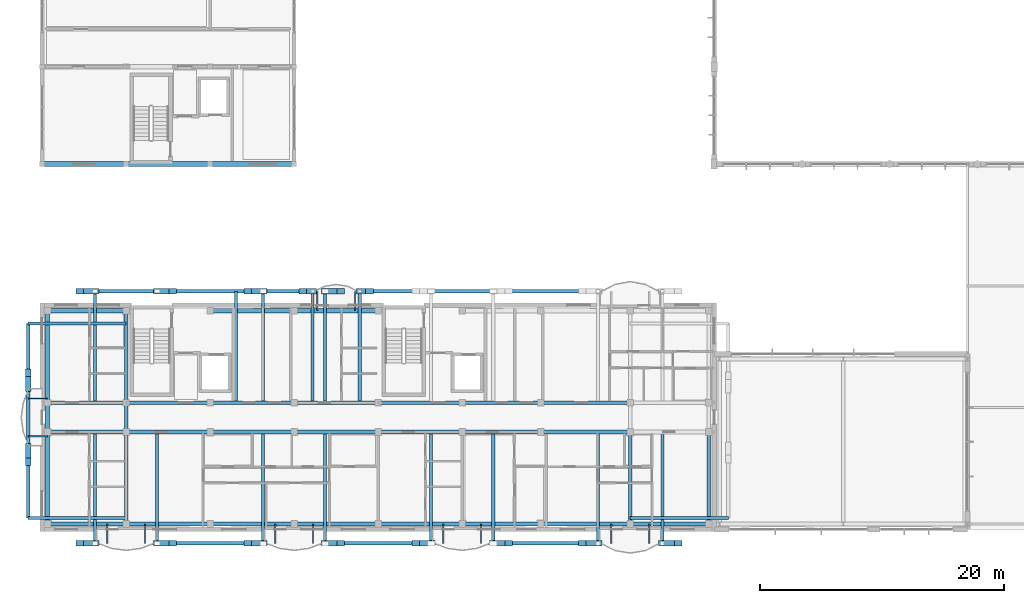
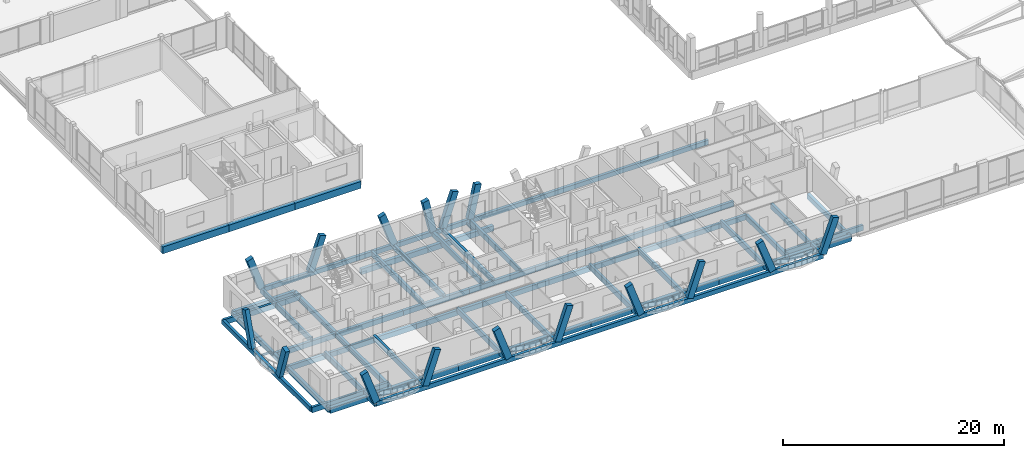
# One storey, part 16 of 189: 68 beams, 16 members.
"""IFC4 building model written with IfcOpenShell, lengths in metres."""

from ifc_helpers import new_model, si_unit, direction, frame, origin, origin_2d, place, context, subcontext, project, spatial, rectangle, i_section, extrude, material, material_profile, profile_set, type_object, element, save


model = new_model("IFC4")

# Units and contexts
model_context = context("Model", 3, precision=1e-05, world=origin(), true_north=direction((0.0, 1.0)))
body_context = subcontext(model_context, "Body", "Model", "MODEL_VIEW")
ifc_project = project(units=[si_unit("LENGTHUNIT", "METRE"), si_unit("AREAUNIT", "SQUARE_METRE"), si_unit("VOLUMEUNIT", "CUBIC_METRE"), si_unit("PLANEANGLEUNIT", "RADIAN"), si_unit("MASSUNIT", "GRAM", prefix="KILO")], contexts=[model_context])

# Site, building, storey
site_placement = place(None, origin())
site = spatial("IfcSite", under=ifc_project, at=site_placement, CompositionType="ELEMENT")
building_placement = place(site_placement, origin())
building = spatial("IfcBuilding", under=site, at=building_placement, Name="Zavelmont Quarter", CompositionType="ELEMENT")
storey_placement = place(building_placement, frame((0.0, 0.0, 4.39990234375)))
storey = spatial("IfcBuildingStorey", under=building, at=storey_placement, Name="L01", CompositionType="ELEMENT", Elevation=4.39990234375)

# Beams
ifc_material_1 = material(Name="Concrete C35/45", Category="concrete")
ifc_material_profile_1 = material_profile(ifc_material_1, rectangle(XDim=0.35009765625, YDim=0.60009765625, at=origin_2d()), Name="RC350X600")
ifc_profile_set_1 = profile_set([ifc_material_profile_1], Name="Concrete C35/45")
beam_type_1 = type_object("IfcBeamType", Name="BM01", PredefinedType="SPANDREL", material=ifc_profile_set_1)
beam_1_placement = place(storey_placement, frame((0.43994140625, 0.43994140625, -0.579833984375), z_axis=(1.0, 0.0, 0.0), x_axis=(0.0, 1.0, 0.0)))
element("IfcBeam", 1, at=beam_1_placement, inside=storey, type_object=beam_type_1, Name="L01 beam BM01 1/A to 2/A", PredefinedType="SPANDREL", context=body_context, shape_type="SweptSolid", body=[
    extrude(rectangle(XDim=0.35009765625, YDim=0.60009765625, at=origin_2d()), origin(), (0.0, 0.0, 1.0), 6.4599609375),
])
beam_2_placement = place(storey_placement, frame((6.89990234375, 0.43994140625, -0.579833984375), z_axis=(1.0, 0.0, 0.0), x_axis=(0.0, 1.0, 0.0)))
element("IfcBeam", 2, at=beam_2_placement, inside=storey, type_object=beam_type_1, Name="L01 beam BM01 2/A to 3/A", PredefinedType="SPANDREL", context=body_context, shape_type="SweptSolid", body=[
    extrude(rectangle(XDim=0.35009765625, YDim=0.60009765625, at=origin_2d()), origin(), (0.0, 0.0, 1.0), 6.900146484375),
])
beam_3_placement = place(storey_placement, frame((13.800048828125, 0.43994140625, -0.579833984375), z_axis=(1.0, 0.0, 0.0), x_axis=(0.0, 1.0, 0.0)))
element("IfcBeam", 3, at=beam_3_placement, inside=storey, type_object=beam_type_1, Name="L01 beam BM01 3/A to 4/A", PredefinedType="SPANDREL", context=body_context, shape_type="SweptSolid", body=[
    extrude(rectangle(XDim=0.35009765625, YDim=0.60009765625, at=origin_2d()), origin(), (0.0, 0.0, 1.0), 6.89990234375),
])
beam_4_placement = place(storey_placement, frame((20.699951171875, 0.43994140625, -0.579833984375), z_axis=(1.0, 0.0, 0.0), x_axis=(0.0, 1.0, 0.0)))
element("IfcBeam", 4, at=beam_4_placement, inside=storey, type_object=beam_type_1, Name="L01 beam BM01 4/A to 5/A", PredefinedType="SPANDREL", context=body_context, shape_type="SweptSolid", body=[
    extrude(rectangle(XDim=0.35009765625, YDim=0.60009765625, at=origin_2d()), origin(), (0.0, 0.0, 1.0), 6.900146484375),
])
beam_5_placement = place(storey_placement, frame((27.60009765625, 0.43994140625, -0.579833984375), z_axis=(1.0, 0.0, 0.0), x_axis=(0.0, 1.0, 0.0)))
element("IfcBeam", 5, at=beam_5_placement, inside=storey, type_object=beam_type_1, Name="L01 beam BM01 5/A to 6/A", PredefinedType="SPANDREL", context=body_context, shape_type="SweptSolid", body=[
    extrude(rectangle(XDim=0.35009765625, YDim=0.60009765625, at=origin_2d()), origin(), (0.0, 0.0, 1.0), 6.89990234375),
])
beam_6_placement = place(storey_placement, frame((34.5, 0.43994140625, -0.579833984375), z_axis=(1.0, 0.0, 0.0), x_axis=(0.0, 1.0, 0.0)))
element("IfcBeam", 6, at=beam_6_placement, inside=storey, type_object=beam_type_1, Name="L01 beam BM01 6/A to 7/A", PredefinedType="SPANDREL", context=body_context, shape_type="SweptSolid", body=[
    extrude(rectangle(XDim=0.35009765625, YDim=0.60009765625, at=origin_2d()), origin(), (0.0, 0.0, 1.0), 6.4599609375),
])
beam_7_placement = place(storey_placement, frame((40.9599609375, 0.43994140625, -0.579833984375), z_axis=(1.0, 0.0, 0.0), x_axis=(0.0, 1.0, 0.0)))
element("IfcBeam", 7, at=beam_7_placement, inside=storey, type_object=beam_type_1, Name="L01 beam BM01 7/A to 8/A", PredefinedType="SPANDREL", context=body_context, shape_type="SweptSolid", body=[
    extrude(rectangle(XDim=0.35009765625, YDim=0.60009765625, at=origin_2d()), origin(), (0.0, 0.0, 1.0), 7.340087890625),
])
for number, where, z_axis, x_axis, name in (
    (8, (48.300048828125, 0.43994140625, -0.579833984375), (1.0, 0.0, 0.0), (0.0, 1.0, 0.0), "L01 beam BM01 8/A to 9/A"),
    (9, (0.43994140625, 17.9599609375, -0.579833984375), (1.0, 0.0, 0.0), (0.0, 1.0, 0.0), "L01 beam BM01 1/D to 2/D"),
):
    element("IfcBeam", number, at=place(storey_placement, frame(where, z_axis=z_axis, x_axis=x_axis)), inside=storey, type_object=beam_type_1, Name=name, PredefinedType="SPANDREL", context=body_context, shape_type="SweptSolid", body=[
        extrude(rectangle(XDim=0.35009765625, YDim=0.60009765625, at=origin_2d()), origin(), (0.0, 0.0, 1.0), 6.4599609375),
    ])
beam_8_placement = place(storey_placement, frame((13.800048828125, 17.9599609375, -0.579833984375), z_axis=(1.0, 0.0, 0.0), x_axis=(0.0, 1.0, 0.0)))
element("IfcBeam", 10, at=beam_8_placement, inside=storey, type_object=beam_type_1, Name="L01 beam BM01 3/D to 4/D", PredefinedType="SPANDREL", context=body_context, shape_type="SweptSolid", body=[
    extrude(rectangle(XDim=0.35009765625, YDim=0.60009765625, at=origin_2d()), origin(), (0.0, 0.0, 1.0), 6.89990234375),
])
beam_9_placement = place(storey_placement, frame((20.699951171875, 17.9599609375, -0.579833984375), z_axis=(1.0, 0.0, 0.0), x_axis=(0.0, 1.0, 0.0)))
element("IfcBeam", 11, at=beam_9_placement, inside=storey, type_object=beam_type_1, Name="L01 beam BM01 4/D to 5/D", PredefinedType="SPANDREL", context=body_context, shape_type="SweptSolid", body=[
    extrude(rectangle(XDim=0.35009765625, YDim=0.60009765625, at=origin_2d()), origin(), (0.0, 0.0, 1.0), 6.900146484375),
])
ifc_material_profile_2 = material_profile(ifc_material_1, rectangle(XDim=0.300048828125, YDim=0.550048828125, at=origin_2d()), Name="RC300X550")
ifc_profile_set_2 = profile_set([ifc_material_profile_2], Name="Concrete C35/45")
beam_type_2 = type_object("IfcBeamType", Name="BM02", PredefinedType="SPANDREL", material=ifc_profile_set_2)
beam_10_placement = place(storey_placement, frame((0.43994140625, 8.0, -0.554931640625), z_axis=(1.0, 0.0, 0.0), x_axis=(0.0, 1.0, 0.0)))
element("IfcBeam", 12, at=beam_10_placement, inside=storey, type_object=beam_type_2, Name="L01 beam BM02 1/B to 2/B", PredefinedType="SPANDREL", context=body_context, shape_type="SweptSolid", body=[
    extrude(rectangle(XDim=0.300048828125, YDim=0.550048828125, at=origin_2d()), origin(), (0.0, 0.0, 1.0), 6.4599609375),
])
beam_11_placement = place(storey_placement, frame((6.89990234375, 8.0, -0.554931640625), z_axis=(1.0, 0.0, 0.0), x_axis=(0.0, 1.0, 0.0)))
element("IfcBeam", 13, at=beam_11_placement, inside=storey, type_object=beam_type_2, Name="L01 beam BM02 2/B to 3/B", PredefinedType="SPANDREL", context=body_context, shape_type="SweptSolid", body=[
    extrude(rectangle(XDim=0.300048828125, YDim=0.550048828125, at=origin_2d()), origin(), (0.0, 0.0, 1.0), 6.900146484375),
])
beam_12_placement = place(storey_placement, frame((13.800048828125, 8.0, -0.554931640625), z_axis=(1.0, 0.0, 0.0), x_axis=(0.0, 1.0, 0.0)))
element("IfcBeam", 14, at=beam_12_placement, inside=storey, type_object=beam_type_2, Name="L01 beam BM02 3/B to 4/B", PredefinedType="SPANDREL", context=body_context, shape_type="SweptSolid", body=[
    extrude(rectangle(XDim=0.300048828125, YDim=0.550048828125, at=origin_2d()), origin(), (0.0, 0.0, 1.0), 6.89990234375),
])
beam_13_placement = place(storey_placement, frame((20.699951171875, 8.0, -0.554931640625), z_axis=(1.0, 0.0, 0.0), x_axis=(0.0, 1.0, 0.0)))
element("IfcBeam", 15, at=beam_13_placement, inside=storey, type_object=beam_type_2, Name="L01 beam BM02 4/B to 5/B", PredefinedType="SPANDREL", context=body_context, shape_type="SweptSolid", body=[
    extrude(rectangle(XDim=0.300048828125, YDim=0.550048828125, at=origin_2d()), origin(), (0.0, 0.0, 1.0), 6.900146484375),
])
beam_14_placement = place(storey_placement, frame((27.60009765625, 8.0, -0.554931640625), z_axis=(1.0, 0.0, 0.0), x_axis=(0.0, 1.0, 0.0)))
element("IfcBeam", 16, at=beam_14_placement, inside=storey, type_object=beam_type_2, Name="L01 beam BM02 5/B to 6/B", PredefinedType="SPANDREL", context=body_context, shape_type="SweptSolid", body=[
    extrude(rectangle(XDim=0.300048828125, YDim=0.550048828125, at=origin_2d()), origin(), (0.0, 0.0, 1.0), 6.89990234375),
])
beam_15_placement = place(storey_placement, frame((34.5, 8.0, -0.554931640625), z_axis=(1.0, 0.0, 0.0), x_axis=(0.0, 1.0, 0.0)))
element("IfcBeam", 17, at=beam_15_placement, inside=storey, type_object=beam_type_2, Name="L01 beam BM02 6/B to 7/B", PredefinedType="SPANDREL", context=body_context, shape_type="SweptSolid", body=[
    extrude(rectangle(XDim=0.300048828125, YDim=0.550048828125, at=origin_2d()), origin(), (0.0, 0.0, 1.0), 6.4599609375),
])
beam_16_placement = place(storey_placement, frame((40.9599609375, 8.0, -0.554931640625), z_axis=(1.0, 0.0, 0.0), x_axis=(0.0, 1.0, 0.0)))
element("IfcBeam", 18, at=beam_16_placement, inside=storey, type_object=beam_type_2, Name="L01 beam BM02 7/B to 8/B", PredefinedType="SPANDREL", context=body_context, shape_type="SweptSolid", body=[
    extrude(rectangle(XDim=0.300048828125, YDim=0.550048828125, at=origin_2d()), origin(), (0.0, 0.0, 1.0), 7.340087890625),
])
beam_17_placement = place(storey_placement, frame((0.43994140625, 10.39990234375, -0.554931640625), z_axis=(1.0, 0.0, 0.0), x_axis=(0.0, 1.0, 0.0)))
element("IfcBeam", 19, at=beam_17_placement, inside=storey, type_object=beam_type_2, Name="L01 beam BM02 1/C to 2/C", PredefinedType="SPANDREL", context=body_context, shape_type="SweptSolid", body=[
    extrude(rectangle(XDim=0.300048828125, YDim=0.550048828125, at=origin_2d()), origin(), (0.0, 0.0, 1.0), 6.4599609375),
])
beam_18_placement = place(storey_placement, frame((6.89990234375, 10.39990234375, -0.554931640625), z_axis=(1.0, 0.0, 0.0), x_axis=(0.0, 1.0, 0.0)))
element("IfcBeam", 20, at=beam_18_placement, inside=storey, type_object=beam_type_2, Name="L01 beam BM02 2/C to 3/C", PredefinedType="SPANDREL", context=body_context, shape_type="SweptSolid", body=[
    extrude(rectangle(XDim=0.300048828125, YDim=0.550048828125, at=origin_2d()), origin(), (0.0, 0.0, 1.0), 6.900146484375),
])
beam_19_placement = place(storey_placement, frame((13.800048828125, 10.39990234375, -0.554931640625), z_axis=(1.0, 0.0, 0.0), x_axis=(0.0, 1.0, 0.0)))
element("IfcBeam", 21, at=beam_19_placement, inside=storey, type_object=beam_type_2, Name="L01 beam BM02 3/C to 4/C", PredefinedType="SPANDREL", context=body_context, shape_type="SweptSolid", body=[
    extrude(rectangle(XDim=0.300048828125, YDim=0.550048828125, at=origin_2d()), origin(), (0.0, 0.0, 1.0), 6.89990234375),
])
beam_20_placement = place(storey_placement, frame((20.699951171875, 10.39990234375, -0.554931640625), z_axis=(1.0, 0.0, 0.0), x_axis=(0.0, 1.0, 0.0)))
element("IfcBeam", 22, at=beam_20_placement, inside=storey, type_object=beam_type_2, Name="L01 beam BM02 4/C to 5/C", PredefinedType="SPANDREL", context=body_context, shape_type="SweptSolid", body=[
    extrude(rectangle(XDim=0.300048828125, YDim=0.550048828125, at=origin_2d()), origin(), (0.0, 0.0, 1.0), 6.900146484375),
])
beam_21_placement = place(storey_placement, frame((27.60009765625, 10.39990234375, -0.554931640625), z_axis=(1.0, 0.0, 0.0), x_axis=(0.0, 1.0, 0.0)))
element("IfcBeam", 23, at=beam_21_placement, inside=storey, type_object=beam_type_2, Name="L01 beam BM02 5/C to 6/C", PredefinedType="SPANDREL", context=body_context, shape_type="SweptSolid", body=[
    extrude(rectangle(XDim=0.300048828125, YDim=0.550048828125, at=origin_2d()), origin(), (0.0, 0.0, 1.0), 6.89990234375),
])
beam_22_placement = place(storey_placement, frame((34.5, 10.39990234375, -0.554931640625), z_axis=(1.0, 0.0, 0.0), x_axis=(0.0, 1.0, 0.0)))
element("IfcBeam", 24, at=beam_22_placement, inside=storey, type_object=beam_type_2, Name="L01 beam BM02 6/C to 7/C", PredefinedType="SPANDREL", context=body_context, shape_type="SweptSolid", body=[
    extrude(rectangle(XDim=0.300048828125, YDim=0.550048828125, at=origin_2d()), origin(), (0.0, 0.0, 1.0), 6.4599609375),
])
beam_23_placement = place(storey_placement, frame((40.9599609375, 10.39990234375, -0.554931640625), z_axis=(1.0, 0.0, 0.0), x_axis=(0.0, 1.0, 0.0)))
element("IfcBeam", 25, at=beam_23_placement, inside=storey, type_object=beam_type_2, Name="L01 beam BM02 7/C to 8/C", PredefinedType="SPANDREL", context=body_context, shape_type="SweptSolid", body=[
    extrude(rectangle(XDim=0.300048828125, YDim=0.550048828125, at=origin_2d()), origin(), (0.0, 0.0, 1.0), 7.340087890625),
])
beam_24_placement = place(storey_placement, frame((0.43994140625, 0.43994140625, -0.554931640625), z_axis=(0.0, 1.0, 0.0), x_axis=(-1.0, 0.0, 0.0)))
element("IfcBeam", 26, at=beam_24_placement, inside=storey, type_object=beam_type_2, Name="L01 beam BM02 1/A to 1/B", PredefinedType="SPANDREL", context=body_context, shape_type="SweptSolid", body=[
    extrude(rectangle(XDim=0.300048828125, YDim=0.550048828125, at=origin_2d()), origin(), (0.0, 0.0, 1.0), 7.56005859375),
])
beam_25_placement = place(storey_placement, frame((0.43994140625, 8.0, -0.554931640625), z_axis=(0.0, 1.0, 0.0), x_axis=(-1.0, 0.0, 0.0)))
element("IfcBeam", 27, at=beam_25_placement, inside=storey, type_object=beam_type_2, Name="L01 beam BM02 1/B to 1/C", PredefinedType="SPANDREL", context=body_context, shape_type="SweptSolid", body=[
    extrude(rectangle(XDim=0.300048828125, YDim=0.550048828125, at=origin_2d()), origin(), (0.0, 0.0, 1.0), 2.39990234375),
])
for number, where, z_axis, x_axis, name in (
    (28, (0.43994140625, 10.39990234375, -0.554931640625), (0.0, 1.0, 0.0), (-1.0, 0.0, 0.0), "L01 beam BM02 1/C to 1/D"),
    (29, (6.89990234375, 0.43994140625, -0.554931640625), (0.0, 1.0, 0.0), (-1.0, 0.0, 0.0), "L01 beam BM02 2/A to 2/B"),
):
    element("IfcBeam", number, at=place(storey_placement, frame(where, z_axis=z_axis, x_axis=x_axis)), inside=storey, type_object=beam_type_2, Name=name, PredefinedType="SPANDREL", context=body_context, shape_type="SweptSolid", body=[
        extrude(rectangle(XDim=0.300048828125, YDim=0.550048828125, at=origin_2d()), origin(), (0.0, 0.0, 1.0), 7.56005859375),
    ])
beam_26_placement = place(storey_placement, frame((6.89990234375, 8.0, -0.554931640625), z_axis=(0.0, 1.0, 0.0), x_axis=(-1.0, 0.0, 0.0)))
element("IfcBeam", 30, at=beam_26_placement, inside=storey, type_object=beam_type_2, Name="L01 beam BM02 2/B to 2/C", PredefinedType="SPANDREL", context=body_context, shape_type="SweptSolid", body=[
    extrude(rectangle(XDim=0.300048828125, YDim=0.550048828125, at=origin_2d()), origin(), (0.0, 0.0, 1.0), 2.39990234375),
])
for number, where, z_axis, x_axis, name in (
    (31, (6.89990234375, 10.39990234375, -0.554931640625), (0.0, 1.0, 0.0), (-1.0, 0.0, 0.0), "L01 beam BM02 2/C to 2/D"),
    (32, (48.300048828125, 0.43994140625, -0.554931640625), (0.0, 1.0, 0.0), (-1.0, 0.0, 0.0), "L01 beam BM02 8/A to 8/B"),
    (33, (54.760009765625, 0.43994140625, -0.554931640625), (0.0, 1.0, 0.0), (-1.0, 0.0, 0.0), "L01 beam BM02 9/A to 9/B"),
):
    element("IfcBeam", number, at=place(storey_placement, frame(where, z_axis=z_axis, x_axis=x_axis)), inside=storey, type_object=beam_type_2, Name=name, PredefinedType="SPANDREL", context=body_context, shape_type="SweptSolid", body=[
        extrude(rectangle(XDim=0.300048828125, YDim=0.550048828125, at=origin_2d()), origin(), (0.0, 0.0, 1.0), 7.56005859375),
    ])
ifc_material_profile_3 = material_profile(ifc_material_1, rectangle(XDim=0.300048828125, YDim=0.5, at=origin_2d()), Name="RC300X500")
ifc_profile_set_3 = profile_set([ifc_material_profile_3], Name="Concrete C35/45")
beam_type_3 = type_object("IfcBeamType", Name="BM03", PredefinedType="BEAM", material=ifc_profile_set_3)
for number, where, z_axis, x_axis, name in (
    (34, (4.35009765625, -1.14990234375, -0.25), (1.0, 0.0, 0.0), (0.0, 1.0, 0.0), "L01 beam BM03 2/A to 8/A"),
    (35, (4.35009765625, 19.550048828125, -0.25), (1.0, 0.0, 0.0), (0.0, 1.0, 0.0), "L01 beam BM03 2/D to 8/D"),
):
    element("IfcBeam", number, at=place(storey_placement, frame(where, z_axis=z_axis, x_axis=x_axis)), inside=storey, type_object=beam_type_3, Name=name, PredefinedType="BEAM", context=body_context, shape_type="SweptSolid", body=[
        extrude(rectangle(XDim=0.300048828125, YDim=0.5, at=origin_2d()), origin(), (0.0, 0.0, 1.0), 46.5830078125),
    ])
beam_27_placement = place(storey_placement, frame((-1.14990234375, 0.949951171875, -0.25), z_axis=(0.0, 1.0, 0.0), x_axis=(-1.0, 0.0, 0.0)))
element("IfcBeam", 36, at=beam_27_placement, inside=storey, type_object=beam_type_3, Name="L01 beam BM03 1/A to 1/D", PredefinedType="BEAM", context=body_context, shape_type="SweptSolid", body=[
    extrude(rectangle(XDim=0.300048828125, YDim=0.5, at=origin_2d()), origin(), (0.0, 0.0, 1.0), 15.949951171875),
])
ifc_material_2 = material(Name="Concrete C40/50", Category="concrete")
ifc_material_profile_4 = material_profile(ifc_material_2, rectangle(XDim=0.39990234375, YDim=0.75, at=origin_2d()), Name="RC400X750")
ifc_profile_set_4 = profile_set([ifc_material_profile_4], Name="Concrete C40/50")
beam_type_4 = type_object("IfcBeamType", Name="BM05", PredefinedType="BEAM", material=ifc_profile_set_4)
beam_28_placement = place(storey_placement, frame((0.0, 30.0, -0.65478515625), z_axis=(1.0, 0.0, 0.0), x_axis=(0.0, 1.0, 0.0)))
element("IfcBeam", 37, at=beam_28_placement, inside=storey, type_object=beam_type_4, Name="L01 beam BM05 1/F to 2/F", PredefinedType="BEAM", context=body_context, shape_type="SweptSolid", body=[
    extrude(rectangle(XDim=0.39990234375, YDim=0.75, at=origin_2d()), origin(), (0.0, 0.0, 1.0), 6.89990234375),
])
beam_29_placement = place(storey_placement, frame((6.89990234375, 30.0, -0.65478515625), z_axis=(1.0, 0.0, 0.0), x_axis=(0.0, 1.0, 0.0)))
element("IfcBeam", 38, at=beam_29_placement, inside=storey, type_object=beam_type_4, Name="L01 beam BM05 2/F to 3/F", PredefinedType="BEAM", context=body_context, shape_type="SweptSolid", body=[
    extrude(rectangle(XDim=0.39990234375, YDim=0.75, at=origin_2d()), origin(), (0.0, 0.0, 1.0), 6.900146484375),
])
beam_30_placement = place(storey_placement, frame((13.800048828125, 30.0, -0.65478515625), z_axis=(1.0, 0.0, 0.0), x_axis=(0.0, 1.0, 0.0)))
element("IfcBeam", 39, at=beam_30_placement, inside=storey, type_object=beam_type_4, Name="L01 beam BM05 3/F to 4/F", PredefinedType="BEAM", context=body_context, shape_type="SweptSolid", body=[
    extrude(rectangle(XDim=0.39990234375, YDim=0.75, at=origin_2d()), origin(), (0.0, 0.0, 1.0), 6.89990234375),
])
ifc_material_3 = material(Name="Steel S355", Category="steel")
ifc_material_profile_5 = material_profile(ifc_material_3, i_section(OverallWidth=0.110107421875, OverallDepth=0.219970703125, WebThickness=0.005859375, FlangeThickness=0.00927734375, at=origin_2d()), Name="IPE 220")
ifc_profile_set_5 = profile_set([ifc_material_profile_5], Name="Steel S355")
beam_type_5 = type_object("IfcBeamType", Name="BM15", PredefinedType="JOIST", material=ifc_profile_set_5)
for number, where, z_axis, x_axis, name in (
    (40, (5.35009765625, 0.43994140625, -0.391845703125), (0.0, -1.0, 0.0), (1.0, 0.0, 0.0), "L01 beam BM15 2/A to 2/A"),
    (41, (8.449951171875, 0.43994140625, -0.391845703125), (0.0, -1.0, 0.0), (1.0, 0.0, 0.0), "L01 beam BM15 2/A to 2/A"),
    (42, (19.14990234375, 0.43994140625, -0.391845703125), (0.0, -1.0, 0.0), (1.0, 0.0, 0.0), "L01 beam BM15 4/A to 4/A"),
    (43, (22.25, 0.43994140625, -0.391845703125), (0.0, -1.0, 0.0), (1.0, 0.0, 0.0), "L01 beam BM15 4/A to 4/A"),
    (44, (32.949951171875, 0.43994140625, -0.391845703125), (0.0, -1.0, 0.0), (1.0, 0.0, 0.0), "L01 beam BM15 6/A to 6/A"),
    (45, (36.050048828125, 0.43994140625, -0.391845703125), (0.0, -1.0, 0.0), (1.0, 0.0, 0.0), "L01 beam BM15 6/A to 6/A"),
    (46, (46.75, 0.43994140625, -0.391845703125), (0.0, -1.0, 0.0), (1.0, 0.0, 0.0), "L01 beam BM15 8/A to 8/A"),
    (47, (49.85009765625, 0.43994140625, -0.391845703125), (0.0, -1.0, 0.0), (1.0, 0.0, 0.0), "L01 beam BM15 8/A to 8/A"),
    (48, (0.43994140625, 7.64990234375, -0.391845703125), (-1.0, 0.0, 0.0), (0.0, -1.0, 0.0), "L01 beam BM15 1/B to 1/B"),
    (49, (0.43994140625, 10.75, -0.391845703125), (-1.0, 0.0, 0.0), (0.0, -1.0, 0.0), "L01 beam BM15 1/C to 1/C"),
):
    element("IfcBeam", number, at=place(storey_placement, frame(where, z_axis=z_axis, x_axis=x_axis)), inside=storey, type_object=beam_type_5, Name=name, PredefinedType="JOIST", context=body_context, shape_type="SweptSolid", body=[
        extrude(i_section(OverallWidth=0.110107421875, OverallDepth=0.219970703125, WebThickness=0.005859375, FlangeThickness=0.00927734375, at=origin_2d()), origin(), (0.0, 0.0, 1.0), 1.58984375),
    ])
for number, where, z_axis, x_axis, name in (
    (50, (22.60009765625, 17.9599609375, -0.391845703125), (0.0, 1.0, 0.0), (-1.0, 0.0, 0.0), "L01 beam BM15 4/D to 4/D"),
    (51, (25.699951171875, 17.9599609375, -0.391845703125), (0.0, 1.0, 0.0), (-1.0, 0.0, 0.0), "L01 beam BM15 5/D to 5/D"),
):
    element("IfcBeam", number, at=place(storey_placement, frame(where, z_axis=z_axis, x_axis=x_axis)), inside=storey, type_object=beam_type_5, Name=name, PredefinedType="JOIST", context=body_context, shape_type="SweptSolid", body=[
        extrude(i_section(OverallWidth=0.110107421875, OverallDepth=0.219970703125, WebThickness=0.005859375, FlangeThickness=0.00927734375, at=origin_2d()), origin(), (0.0, 0.0, 1.0), 1.590087890625),
    ])
ifc_material_profile_6 = material_profile(ifc_material_2, rectangle(XDim=0.25, YDim=0.60009765625, at=origin_2d()), Name="RC250X600")
ifc_profile_set_6 = profile_set([ifc_material_profile_6], Name="Concrete C40/50")
beam_type_6 = type_object("IfcBeamType", Name="BM18", PredefinedType="BEAM", material=ifc_profile_set_6)
for number, where, z_axis, x_axis, name in (
    (52, (4.350341796875, 8.0, -0.2998046875), (0.0, -1.0, 0.0), (1.0, 0.0, 0.0), "L01 beam BM18 2/B to 2/A"),
    (53, (9.44970703125, 8.0, -0.2998046875), (0.0, -1.0, 0.0), (1.0, 0.0, 0.0), "L01 beam BM18 2/B to 2/A"),
    (54, (18.150390625, 8.0, -0.2998046875), (0.0, -1.0, 0.0), (1.0, 0.0, 0.0), "L01 beam BM18 4/B to 4/A"),
    (55, (23.24951171875, 8.0, -0.2998046875), (0.0, -1.0, 0.0), (1.0, 0.0, 0.0), "L01 beam BM18 4/B to 4/A"),
    (56, (31.950439453125, 8.0, -0.2998046875), (0.0, -1.0, 0.0), (1.0, 0.0, 0.0), "L01 beam BM18 6/B to 6/A"),
    (57, (37.049560546875, 8.0, -0.2998046875), (0.0, -1.0, 0.0), (1.0, 0.0, 0.0), "L01 beam BM18 6/B to 6/A"),
    (58, (45.66748046875, 8.0, -0.2998046875), (0.0, -1.0, 0.0), (1.0, 0.0, 0.0), "L01 beam BM18 8/B to 8/A"),
    (59, (50.9326171875, 8.0, -0.2998046875), (0.0, -1.0, 0.0), (1.0, 0.0, 0.0), "L01 beam BM18 8/B to 8/A"),
):
    element("IfcBeam", number, at=place(storey_placement, frame(where, z_axis=z_axis, x_axis=x_axis)), inside=storey, type_object=beam_type_6, Name=name, PredefinedType="BEAM", context=body_context, shape_type="SweptSolid", body=[
        extrude(rectangle(XDim=0.25, YDim=0.60009765625, at=origin_2d()), origin(), (0.0, 0.0, 1.0), 9.14990234375),
    ])
for number, where, z_axis, x_axis, name in (
    (60, (4.350341796875, 10.39990234375, -0.2998046875), (0.0, 1.0, 0.0), (-1.0, 0.0, 0.0), "L01 beam BM18 2/C to 2/D"),
    (61, (15.925048828125, 10.39990234375, -0.2998046875), (0.0, 1.0, 0.0), (-1.0, 0.0, 0.0), "L01 beam BM18 3/C to 3/D"),
    (62, (18.150390625, 10.39990234375, -0.2998046875), (0.0, 1.0, 0.0), (-1.0, 0.0, 0.0), "L01 beam BM18 4/C to 4/D"),
    (63, (23.24951171875, 10.39990234375, -0.2998046875), (0.0, 1.0, 0.0), (-1.0, 0.0, 0.0), "L01 beam BM18 4/C to 4/D"),
    (64, (22.213623046875, 10.39990234375, -0.2998046875), (0.0, 1.0, 0.0), (-1.0, 0.0, 0.0), "L01 beam BM18 4/C to 4/D"),
    (65, (26.08642578125, 10.39990234375, -0.2998046875), (0.0, 1.0, 0.0), (-1.0, 0.0, 0.0), "L01 beam BM18 5/C to 5/D"),
):
    element("IfcBeam", number, at=place(storey_placement, frame(where, z_axis=z_axis, x_axis=x_axis)), inside=storey, type_object=beam_type_6, Name=name, PredefinedType="BEAM", context=body_context, shape_type="SweptSolid", body=[
        extrude(rectangle(XDim=0.25, YDim=0.60009765625, at=origin_2d()), origin(), (0.0, 0.0, 1.0), 9.150146484375),
    ])
for number, where, z_axis, x_axis, name in (
    (66, (6.89990234375, 0.949951171875, -0.2998046875), (-1.0, 0.0, 0.0), (0.0, -1.0, 0.0), "L01 beam BM18 2/A to 1/A"),
    (67, (6.89990234375, 16.89990234375, -0.2998046875), (-1.0, 0.0, 0.0), (0.0, -1.0, 0.0), "L01 beam BM18 2/D to 1/D"),
):
    element("IfcBeam", number, at=place(storey_placement, frame(where, z_axis=z_axis, x_axis=x_axis)), inside=storey, type_object=beam_type_6, Name=name, PredefinedType="BEAM", context=body_context, shape_type="SweptSolid", body=[
        extrude(rectangle(XDim=0.25, YDim=0.60009765625, at=origin_2d()), origin(), (0.0, 0.0, 1.0), 8.0498046875),
    ])
beam_31_placement = place(storey_placement, frame((48.300048828125, 0.949951171875, -0.2998046875), z_axis=(1.0, 0.0, 0.0), x_axis=(0.0, 1.0, 0.0)))
element("IfcBeam", 68, at=beam_31_placement, inside=storey, type_object=beam_type_6, Name="L01 beam BM18 8/A to 9/A", PredefinedType="BEAM", context=body_context, shape_type="SweptSolid", body=[
    extrude(rectangle(XDim=0.25, YDim=0.60009765625, at=origin_2d()), origin(), (0.0, 0.0, 1.0), 8.050048828125),
])

# Members
ifc_material_4 = material(Name="White architectural precast concrete C40/50", Category="concrete")
ifc_material_profile_7 = material_profile(ifc_material_4, rectangle(XDim=0.43994140625, YDim=0.659912109375, at=origin_2d()), Name="PCR320X480")
ifc_profile_set_7 = profile_set([ifc_material_profile_7], Name="White architectural precast concrete C40/50")
member_type = type_object("IfcMemberType", Name="VR01M", PredefinedType="CHORD", material=ifc_profile_set_7)
for number, where, z_axis, x_axis, name in (
    (69, (4.350341796875, -1.14990234375, 0.0), (-0.331427503547, 0.0, 0.94348068867), (0.0, -1.0, 0.0), "L01 member VR01M 2/A to 1/A"),
    (70, (9.44970703125, -1.14990234375, 0.0), (0.331370547659, 0.0, 0.9435006943), (0.0, 1.0, 0.0), "L01 member VR01M 2/A to 3/A"),
    (71, (18.150390625, -1.14990234375, 0.0), (-0.331427503547, 0.0, 0.94348068867), (0.0, -1.0, 0.0), "L01 member VR01M 4/A to 3/A"),
    (72, (23.24951171875, -1.14990234375, 0.0), (0.331427503547, 0.0, 0.94348068867), (0.0, 1.0, 0.0), "L01 member VR01M 4/A to 5/A"),
    (73, (31.950439453125, -1.14990234375, 0.0), (-0.331427503547, 0.0, 0.94348068867), (0.0, -1.0, 0.0), "L01 member VR01M 6/A to 5/A"),
    (74, (37.049560546875, -1.14990234375, 0.0), (0.331427503547, 0.0, 0.94348068867), (0.0, 1.0, 0.0), "L01 member VR01M 6/A to 7/A"),
):
    element("IfcMember", number, at=place(storey_placement, frame(where, z_axis=z_axis, x_axis=x_axis)), inside=storey, type_object=member_type, Name=name, PredefinedType="CHORD", context=body_context, shape_type="SweptSolid", body=[
        extrude(rectangle(XDim=0.43994140625, YDim=0.659912109375, at=origin_2d()), origin(), (0.0, 0.0, 1.0), 3.815673828125),
    ])
for number, where, z_axis, x_axis, name in (
    (75, (45.66748046875, -1.14990234375, 0.0), (-0.345608040191, 0.0, 0.93837896532), (0.0, -1.0, 0.0), "L01 member VR01M 8/A to 7/A"),
    (76, (50.9326171875, -1.14990234375, 0.0), (0.345608040191, 0.0, 0.93837896532), (0.0, 1.0, 0.0), "L01 member VR01M 8/A to 9/A"),
):
    element("IfcMember", number, at=place(storey_placement, frame(where, z_axis=z_axis, x_axis=x_axis)), inside=storey, type_object=member_type, Name=name, PredefinedType="CHORD", context=body_context, shape_type="SweptSolid", body=[
        extrude(rectangle(XDim=0.43994140625, YDim=0.659912109375, at=origin_2d()), origin(), (0.0, 0.0, 1.0), 3.83642578125),
    ])
for number, where, z_axis, x_axis, name in (
    (77, (4.350341796875, 19.550048828125, 0.0), (-0.331427503547, 0.0, 0.94348068867), (0.0, -1.0, 0.0), "L01 member VR01M 2/D to 1/D"),
    (78, (9.44970703125, 19.550048828125, 0.0), (0.331370547659, 0.0, 0.9435006943), (0.0, 1.0, 0.0), "L01 member VR01M 2/D to 3/D"),
    (79, (18.150390625, 19.550048828125, 0.0), (-0.331427503547, 0.0, 0.94348068867), (0.0, -1.0, 0.0), "L01 member VR01M 4/D to 3/D"),
    (80, (23.24951171875, 19.550048828125, 0.0), (0.331427503547, 0.0, 0.94348068867), (0.0, 1.0, 0.0), "L01 member VR01M 4/D to 5/D"),
):
    element("IfcMember", number, at=place(storey_placement, frame(where, z_axis=z_axis, x_axis=x_axis)), inside=storey, type_object=member_type, Name=name, PredefinedType="CHORD", context=body_context, shape_type="SweptSolid", body=[
        extrude(rectangle(XDim=0.43994140625, YDim=0.659912109375, at=origin_2d()), origin(), (0.0, 0.0, 1.0), 3.815673828125),
    ])
for number, where, z_axis, x_axis, name in (
    (81, (22.213623046875, 19.550048828125, 0.0), (-0.217568176466, 0.0, 0.976045126308), (0.0, -1.0, 0.0), "L01 member VR01M 4/D to 4/D"),
    (82, (26.08642578125, 19.550048828125, 0.0), (0.217568176466, 0.0, 0.976045126308), (0.0, 1.0, 0.0), "L01 member VR01M 5/D to 5/D"),
):
    element("IfcMember", number, at=place(storey_placement, frame(where, z_axis=z_axis, x_axis=x_axis)), inside=storey, type_object=member_type, Name=name, PredefinedType="CHORD", context=body_context, shape_type="SweptSolid", body=[
        extrude(rectangle(XDim=0.43994140625, YDim=0.659912109375, at=origin_2d()), origin(), (0.0, 0.0, 1.0), 3.6884765625),
    ])
for number, where, z_axis, x_axis, name in (
    (83, (-1.14990234375, 6.740966796875, 0.0), (0.0, -0.315571322571, 0.948901860242), (1.0, 0.0, 0.0), "L01 member VR01M 1/B to 1/B"),
    (84, (-1.14990234375, 11.658935546875, 0.0), (0.0, 0.315571322571, 0.948901860242), (-1.0, 0.0, 0.0), "L01 member VR01M 1/C to 1/C"),
):
    element("IfcMember", number, at=place(storey_placement, frame(where, z_axis=z_axis, x_axis=x_axis)), inside=storey, type_object=member_type, Name=name, PredefinedType="CHORD", context=body_context, shape_type="SweptSolid", body=[
        extrude(rectangle(XDim=0.43994140625, YDim=0.659912109375, at=origin_2d()), origin(), (0.0, 0.0, 1.0), 3.7939453125),
    ])

save(model, "model.ifc")
